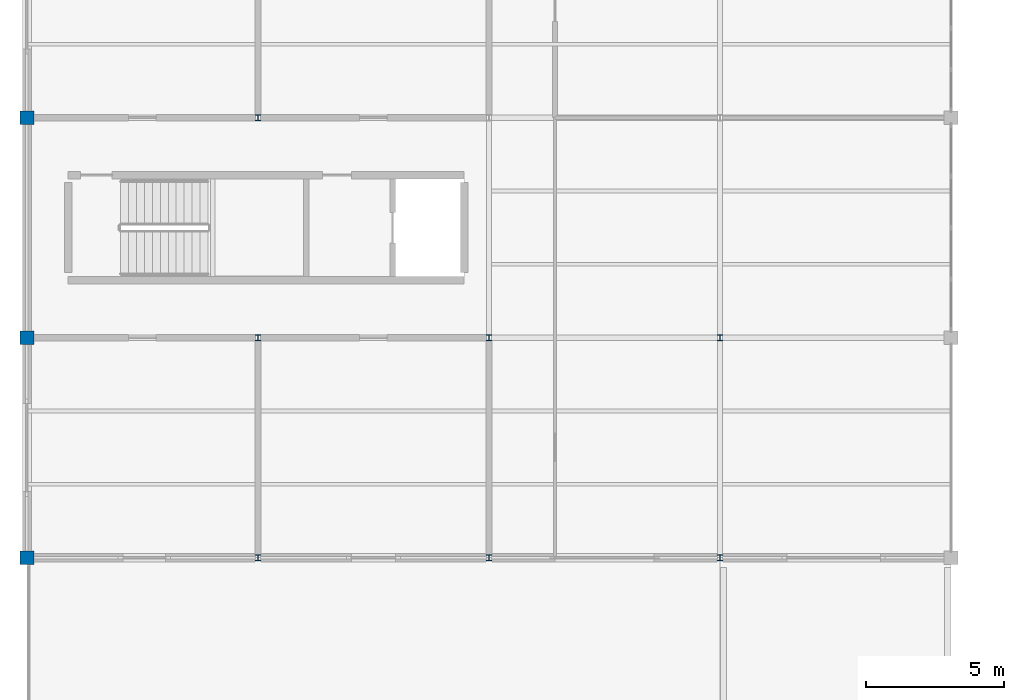
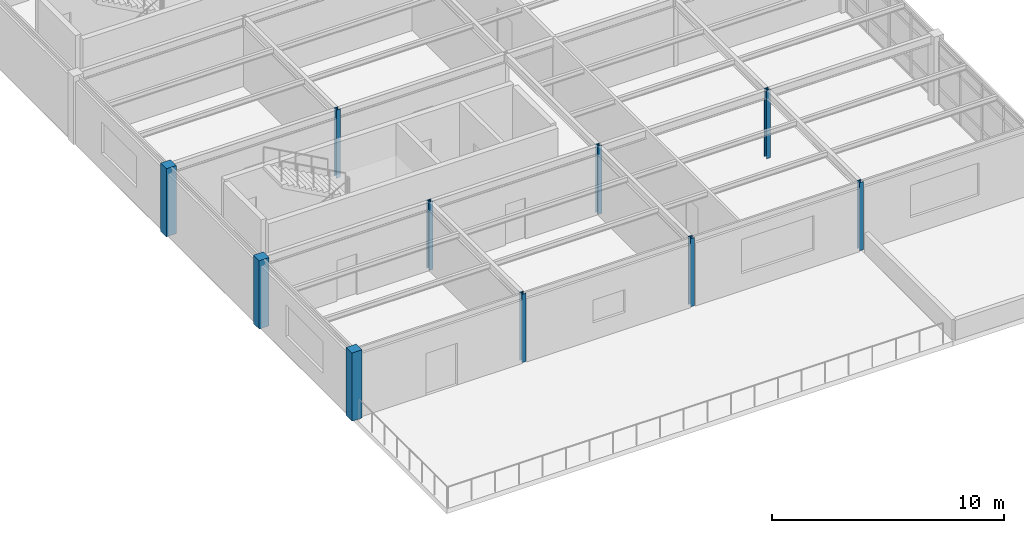
# One storey, part 1 of 32: 10 columns.
"""IFC4 building model written with IfcOpenShell, lengths in metres."""

from ifc_helpers import new_model, si_unit, direction, frame, origin, origin_2d, place, context, subcontext, project, spatial, rectangle, i_section, extrude, material, material_profile, profile_set, type_object, element, save


model = new_model("IFC4")

# Units and contexts
model_context = context("Model", 3, precision=1e-05, world=origin(), true_north=direction((0.0, 1.0)))
body_context = subcontext(model_context, "Body", "Model", "MODEL_VIEW")
ifc_project = project(units=[si_unit("LENGTHUNIT", "METRE"), si_unit("AREAUNIT", "SQUARE_METRE"), si_unit("VOLUMEUNIT", "CUBIC_METRE"), si_unit("PLANEANGLEUNIT", "RADIAN"), si_unit("MASSUNIT", "GRAM", prefix="KILO")], contexts=[model_context])

# Site, building, storey
site_placement = place(None, origin())
site = spatial("IfcSite", under=ifc_project, at=site_placement, CompositionType="ELEMENT")
building_placement = place(site_placement, origin())
building = spatial("IfcBuilding", under=site, at=building_placement, Name="Kranzveld Transit Interchange", CompositionType="ELEMENT")
storey_placement = place(building_placement, frame((0.0, 0.0, 17.199951171875)))
storey = spatial("IfcBuildingStorey", under=building, at=storey_placement, Name="L04", CompositionType="ELEMENT", Elevation=17.199951171875)

# Columns
ifc_material_1 = material(Name="Concrete C35/45", Category="concrete")
ifc_material_profile_1 = material_profile(ifc_material_1, rectangle(XDim=0.5, YDim=0.5, at=origin_2d()), Name="RC 500x500")
ifc_profile_set_1 = profile_set([ifc_material_profile_1], Name="Concrete C35/45")
column_type_1 = type_object("IfcColumnType", Name="Column RC 500x500 C35/45", PredefinedType="COLUMN", material=ifc_profile_set_1)
for number, where, z_axis, x_axis, name in (
    (1, (0.0, 56.0, 0.0), (0.0, 0.0, 1.0), (1.0, 0.0, 0.0), "L04 Column 01/H"),
    (2, (0.0, 64.0, 0.0), (0.0, 0.0, 1.0), (1.0, 0.0, 0.0), "L04 Column 01/J"),
    (3, (0.0, 72.0, 0.0), (0.0, 0.0, 1.0), (1.0, 0.0, 0.0), "L04 Column 01/K"),
):
    element("IfcColumn", number, at=place(storey_placement, frame(where, z_axis=z_axis, x_axis=x_axis)), inside=storey, type_object=column_type_1, Name=name, PredefinedType="COLUMN", context=body_context, shape_type="SweptSolid", body=[
        extrude(rectangle(XDim=0.5, YDim=0.5, at=origin_2d()), origin(), (0.0, 0.0, 1.0), 3.590087890625),
    ])
ifc_material_2 = material(Name="Steel S355JR", Category="steel")
ifc_material_profile_2 = material_profile(ifc_material_2, i_section(OverallWidth=0.205810546875, OverallDepth=0.209716796875, WebThickness=0.009521484375, FlangeThickness=0.01416015625, FilletRadius=0.01025390625, at=origin_2d()), Name="UC 203x203x60")
ifc_profile_set_2 = profile_set([ifc_material_profile_2], Name="Steel S355JR")
column_type_2 = type_object("IfcColumnType", Name="Column Steel UC 203x203x60 S355JR", PredefinedType="COLUMN", material=ifc_profile_set_2)
for number, where, z_axis, x_axis, name in (
    (4, (8.39990234375, 56.0, 0.0), (0.0, 0.0, 1.0), (1.0, 0.0, 0.0), "L04 Column 02/H"),
    (5, (8.39990234375, 64.0, 0.0), (0.0, 0.0, 1.0), (1.0, 0.0, 0.0), "L04 Column 02/J"),
    (6, (8.39990234375, 72.0, 0.0), (0.0, 0.0, 1.0), (1.0, 0.0, 0.0), "L04 Column 02/K"),
    (7, (16.800048828125, 56.0, 0.0), (0.0, 0.0, 1.0), (1.0, 0.0, 0.0), "L04 Column 03/H"),
    (8, (16.800048828125, 64.0, 0.0), (0.0, 0.0, 1.0), (1.0, 0.0, 0.0), "L04 Column 03/J"),
    (9, (25.199951171875, 56.0, 0.0), (0.0, 0.0, 1.0), (1.0, 0.0, 0.0), "L04 Column 04/H"),
    (10, (25.199951171875, 64.0, 0.0), (0.0, 0.0, 1.0), (1.0, 0.0, 0.0), "L04 Column 04/J"),
):
    element("IfcColumn", number, at=place(storey_placement, frame(where, z_axis=z_axis, x_axis=x_axis)), inside=storey, type_object=column_type_2, Name=name, PredefinedType="COLUMN", context=body_context, shape_type="SweptSolid", body=[
        extrude(i_section(OverallWidth=0.205810546875, OverallDepth=0.209716796875, WebThickness=0.009521484375, FlangeThickness=0.01416015625, FilletRadius=0.01025390625, at=origin_2d()), origin(), (0.0, 0.0, 1.0), 3.590087890625),
    ])

save(model, "model.ifc")
